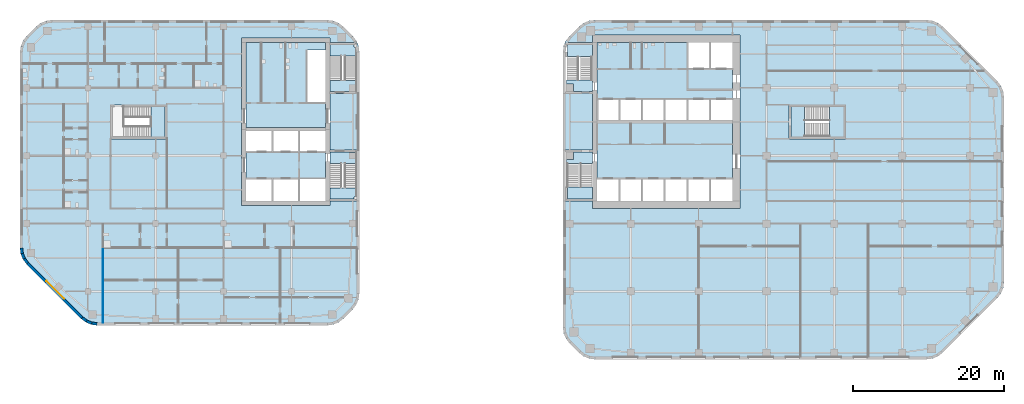
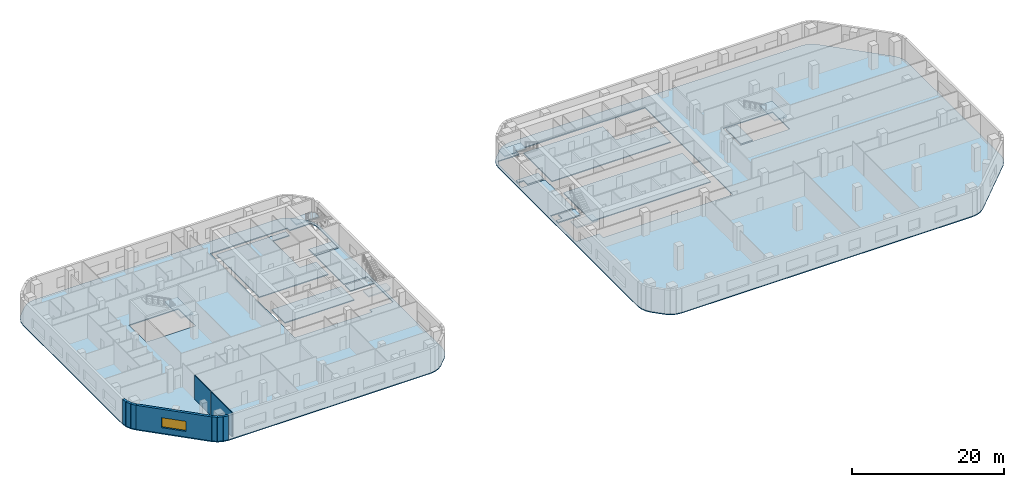
# One storey, part 4 of 16: 17 slabs, 9 walls, 1 window, 1 opening, 6 elements without a shape of their own.
"""IFC4 building model written with IfcOpenShell, lengths in metres."""

from ifc_helpers import new_model, si_unit, direction, frame, frame_2d, origin, place, context, subcontext, project, spatial, polyline, rectangle, outline, extrude, material, layer, layer_set, type_object, element, fill, aggregate, save


model = new_model("IFC4")

# Units and contexts
model_context = context("Model", 3, precision=1e-05, world=origin(), true_north=direction((0.0, 1.0)))
body_context = subcontext(model_context, "Body", "Model", "MODEL_VIEW")
ifc_project = project(units=[si_unit("LENGTHUNIT", "METRE"), si_unit("AREAUNIT", "SQUARE_METRE"), si_unit("VOLUMEUNIT", "CUBIC_METRE"), si_unit("PLANEANGLEUNIT", "RADIAN"), si_unit("MASSUNIT", "GRAM", prefix="KILO")], contexts=[model_context])

# Site, building, storey
site_placement = place(None, origin())
site = spatial("IfcSite", under=ifc_project, at=site_placement, CompositionType="ELEMENT")
building_placement = place(site_placement, origin())
building = spatial("IfcBuilding", under=site, at=building_placement, Name="Cinnabar Reach Civic Tower", CompositionType="ELEMENT")
storey_placement = place(building_placement, frame((0.0, 0.0, 38.0)))
storey = spatial("IfcBuildingStorey", under=building, at=storey_placement, Name="L08", CompositionType="ELEMENT", Elevation=38.0)

# Slabs
ifc_material_1 = material(Name="Concrete C40", Category="concrete")
ifc_layer_1 = layer(ifc_material_1, 0.15)
ifc_layer_set_1 = layer_set([ifc_layer_1], Name="Composite floor slab 150 REI 120")
slab_type_1 = type_object("IfcSlabType", Name="Composite floor slab 150 REI 120", PredefinedType="FLOOR", material=ifc_layer_set_1)
slab_1_placement = place(storey_placement, frame((0.0, 0.0, -0.15)))
element("IfcSlab", 1, at=slab_1_placement, inside=storey, type_object=slab_type_1, Name="Composite floor slab 150 T2 L08", PredefinedType="FLOOR", context=body_context, shape_type="SweptSolid", body=[
    extrude(outline(polyline([(-71.1213, 12.6213), (-71.5981, 13.2426), (-71.8978, 13.9662), (-72.0, 14.7426), (-72.0, 40.7574), (-71.8978, 41.5338), (-71.5981, 42.2574), (-71.1213, 42.8787), (-69.8787, 44.1213), (-69.2574, 44.5981), (-68.5338, 44.8978), (-67.7574, 45.0), (-31.2426, 45.0), (-30.4662, 44.8978), (-29.7426, 44.5981), (-29.1213, 44.1213), (-27.8787, 42.8787), (-27.4019, 42.2574), (-27.1022, 41.5338), (-27.0, 40.7574), (-27.0, 8.7426), (-27.1022, 7.9662), (-27.4019, 7.2426), (-27.8787, 6.6213), (-29.1213, 5.3787), (-29.7426, 4.9019), (-30.4662, 4.6022), (-31.2426, 4.5), (-61.7574, 4.5), (-62.5338, 4.6022), (-63.2574, 4.9019), (-63.8787, 5.3787), (-71.1213, 12.6213)]), holes=[polyline([(-30.9, 27.75), (-30.9, 35.25), (-27.36, 35.25), (-27.36, 40.7338), (-27.453, 41.4398), (-27.685, 42.0), (-30.9, 42.0), (-30.9, 42.6), (-42.6, 42.6), (-42.6, 20.4), (-30.9, 20.4), (-30.9, 21.0), (-27.36, 21.0), (-27.36, 27.75), (-30.9, 27.75)]), polyline([(-60.0, 33.75), (-60.0, 29.25), (-52.5, 29.25), (-52.5, 33.75), (-60.0, 33.75)])]), origin(), (0.0, 0.0, 1.0), 0.15),
])
ifc_layer_2 = layer(ifc_material_1, 0.15)
ifc_layer_set_2 = layer_set([ifc_layer_2], Name="Composite floor slab 150 REI 150")
slab_type_2 = type_object("IfcSlabType", Name="Composite floor slab 150 REI 150", PredefinedType="FLOOR", material=ifc_layer_set_2)
slab_2_placement = place(storey_placement, frame((0.0, 0.0, -0.15)))
element("IfcSlab", 2, at=slab_2_placement, inside=storey, type_object=slab_type_2, Name="Composite floor slab 150 T1 L08", PredefinedType="FLOOR", context=body_context, shape_type="SweptSolid", body=[
    extrude(outline(polyline([(0.8787, 2.1213), (0.4019, 2.7426), (0.1022, 3.4662), (0.0, 4.2426), (0.0, 40.7574), (0.1022, 41.5338), (0.4019, 42.2574), (0.8787, 42.8787), (2.1213, 44.1213), (2.7426, 44.5981), (3.4662, 44.8978), (4.2426, 45.0), (48.2574, 45.0), (49.0338, 44.8978), (49.7574, 44.5981), (50.3787, 44.1213), (57.6213, 36.8787), (58.0981, 36.2574), (58.3978, 35.5338), (58.5, 34.7574), (58.5, 10.2426), (58.3978, 9.4662), (58.0981, 8.7426), (57.6213, 8.1213), (50.3787, 0.8787), (49.7574, 0.4019), (49.0338, 0.1022), (48.2574, 0.0), (4.2426, 0.0), (3.4662, 0.1022), (2.7426, 0.4019), (2.1213, 0.8787), (0.8787, 2.1213)]), holes=[polyline([(0.36, 21.0), (3.9, 21.0), (3.9, 20.0), (23.5, 20.0), (23.5, 43.0), (3.9, 43.0), (3.9, 42.0), (0.685, 42.0), (0.453, 41.4398), (0.36, 40.7338), (0.36, 35.25), (3.9, 35.25), (3.9, 27.75), (0.36, 27.75), (0.36, 21.0)]), polyline([(30.0, 33.75), (30.0, 29.25), (37.5, 29.25), (37.5, 33.75), (30.0, 33.75)])]), origin(), (0.0, 0.0, 1.0), 0.15),
])

# Stair, slabs
ifc_material_2 = material(Name="Concrete C40/50", Category="concrete")
stair_type_1 = type_object("IfcStairType", Name="T1 Exit stair, half-turn", PredefinedType="HALF_TURN_STAIR", material=ifc_material_2)
stair_1_placement = place(storey_placement, origin())
stair_1 = element("IfcStair", 3, at=stair_1_placement, inside=storey, type_object=stair_type_1, Name="Stair T1-S1", PredefinedType="HALF_TURN_STAIR")
ifc_layer_3 = layer(ifc_material_2, 0.2)
ifc_layer_set_3 = layer_set([ifc_layer_3], Name="T1 Stair landing 200, Concrete C40/50")
slab_type_3 = type_object("IfcSlabType", Name="T1 Stair landing 200, Concrete C40/50", PredefinedType="LANDING", material=ifc_layer_set_3)
slab_3_placement = place(storey_placement, frame((0.0, 0.0, -0.2)))
slab_3 = element("IfcSlab", 4, at=slab_3_placement, type_object=slab_type_3, Name="T1-S1 landing 1", PredefinedType="LANDING", context=body_context, shape_type="SweptSolid", body=[
    extrude(outline(polyline([(3.9, 27.5), (3.9, 25.95), (0.5, 25.95), (0.5, 26.5), (1.4, 26.5), (1.4, 27.5), (3.9, 27.5)])), origin(), (0.0, 0.0, 1.0), 0.2),
])
slab_4_placement = place(storey_placement, frame((0.0, 0.0, 1.8)))
slab_4 = element("IfcSlab", 5, at=slab_4_placement, type_object=slab_type_3, Name="T1-S1 landing 2", PredefinedType="LANDING", context=body_context, shape_type="SweptSolid", body=[
    extrude(outline(polyline([(0.6, 21.25), (0.6, 22.87), (3.9, 22.87), (3.9, 21.25), (0.6, 21.25)])), origin(), (0.0, 0.0, 1.0), 0.2),
])
aggregate(stair_1, [slab_3, slab_4])

stair_2_placement = place(storey_placement, origin())
stair_2 = element("IfcStair", 6, at=stair_2_placement, inside=storey, type_object=stair_type_1, Name="Stair T1-S2", PredefinedType="HALF_TURN_STAIR")
slab_5_placement = place(storey_placement, frame((0.0, 0.0, -0.2)))
slab_5 = element("IfcSlab", 7, at=slab_5_placement, type_object=slab_type_3, Name="T1-S2 landing 1", PredefinedType="LANDING", context=body_context, shape_type="SweptSolid", body=[
    extrude(outline(polyline([(0.5, 37.05), (3.9, 37.05), (3.9, 35.5), (1.4, 35.5), (1.4, 36.5), (0.5, 36.5), (0.5, 37.05)])), origin(), (0.0, 0.0, 1.0), 0.2),
])
slab_6_placement = place(storey_placement, frame((0.0, 0.0, 1.8)))
slab_6 = element("IfcSlab", 8, at=slab_6_placement, type_object=slab_type_3, Name="T1-S2 landing 2", PredefinedType="LANDING", context=body_context, shape_type="SweptSolid", body=[
    extrude(outline(polyline([(0.6, 40.13), (0.6, 41.75), (3.9, 41.75), (3.9, 40.13), (0.6, 40.13)])), origin(), (0.0, 0.0, 1.0), 0.2),
])
aggregate(stair_2, [slab_5, slab_6])

stair_3_placement = place(storey_placement, origin())
stair_3 = element("IfcStair", 9, at=stair_3_placement, inside=storey, type_object=stair_type_1, Name="Stair T1-S3", PredefinedType="HALF_TURN_STAIR")
slab_7_placement = place(storey_placement, frame((0.0, 0.0, -0.2)))
slab_7 = element("IfcSlab", 10, at=slab_7_placement, type_object=slab_type_3, Name="T1-S3 landing 1", PredefinedType="LANDING", context=body_context, shape_type="SweptSolid", body=[
    extrude(outline(polyline([(30.25, 29.5), (32.05, 29.5), (32.05, 33.5), (30.25, 33.5), (30.25, 29.5)])), origin(), (0.0, 0.0, 1.0), 0.2),
])
slab_8_placement = place(storey_placement, frame((0.0, 0.0, 1.8)))
slab_8 = element("IfcSlab", 11, at=slab_8_placement, type_object=slab_type_3, Name="T1-S3 landing 2", PredefinedType="LANDING", context=body_context, shape_type="SweptSolid", body=[
    extrude(outline(polyline([(35.35, 29.5), (37.25, 29.5), (37.25, 33.5), (35.35, 33.5), (35.35, 29.5)])), origin(), (0.0, 0.0, 1.0), 0.2),
])
aggregate(stair_3, [slab_7, slab_8])

# Slabs
ifc_layer_4 = layer(ifc_material_2, 0.15)
ifc_layer_set_4 = layer_set([ifc_layer_4], Name="T1 core floor slab 150")
slab_type_4 = type_object("IfcSlabType", Name="T1 core floor slab 150", PredefinedType="FLOOR", material=ifc_layer_set_4)
slab_9_placement = place(storey_placement, frame((0.0, 0.0, -0.15)))
element("IfcSlab", 12, at=slab_9_placement, inside=storey, type_object=slab_type_4, Name="Core floor slab L08", PredefinedType="FLOOR", context=body_context, shape_type="SweptSolid", body=[
    extrude(outline(polyline([(22.5, 24.0), (19.5, 24.0), (16.5, 24.0), (13.5, 24.0), (10.5, 24.0), (7.5, 24.0), (4.5, 24.0), (4.5, 31.5), (7.5, 31.5), (10.5, 31.5), (13.5, 31.5), (16.5, 31.5), (19.5, 31.5), (22.5, 31.5), (22.5, 24.0)])), origin(), (0.0, 0.0, 1.0), 0.15),
])
slab_10_placement = place(storey_placement, frame((0.0, 0.0, -0.15)))
element("IfcSlab", 13, at=slab_10_placement, inside=storey, type_object=slab_type_4, Name="Core floor slab L08", PredefinedType="FLOOR", context=body_context, shape_type="SweptSolid", body=[
    extrude(outline(polyline([(22.5, 34.5), (19.5, 34.5), (16.5, 34.5), (13.5, 34.5), (10.5, 34.5), (7.5, 34.5), (4.5, 34.5), (4.5, 42.0), (16.5, 42.0), (16.5, 38.5), (19.5, 38.5), (22.5, 38.5), (22.5, 34.5)])), origin(), (0.0, 0.0, 1.0), 0.15),
])
ifc_layer_5 = layer(ifc_material_1, 0.15)
ifc_layer_set_5 = layer_set([ifc_layer_5], Name="T2 Core floor slab 150")
slab_type_5 = type_object("IfcSlabType", Name="T2 Core floor slab 150", PredefinedType="FLOOR", material=ifc_layer_set_5)
slab_11_placement = place(storey_placement, frame((0.0, 0.0, -0.15)))
element("IfcSlab", 14, at=slab_11_placement, inside=storey, type_object=slab_type_5, Name="Core floor slab L08", PredefinedType="FLOOR", context=body_context, shape_type="SweptSolid", body=[
    extrude(outline(polyline([(-42.0, 42.0), (-31.5, 42.0), (-31.5, 41.0), (-34.0, 41.0), (-34.0, 34.0), (-31.5, 34.0), (-31.5, 30.75), (-42.0, 30.75), (-42.0, 42.0)])), origin(), (0.0, 0.0, 1.0), 0.15),
])
slab_12_placement = place(storey_placement, frame((0.0, 0.0, -0.15)))
element("IfcSlab", 15, at=slab_12_placement, inside=storey, type_object=slab_type_5, Name="Core floor slab L08", PredefinedType="FLOOR", context=body_context, shape_type="SweptSolid", body=[
    extrude(outline(polyline([(-35.0, 24.0), (-38.5, 24.0), (-42.0, 24.0), (-42.0, 27.5), (-38.5, 27.5), (-35.0, 27.5), (-31.5, 27.5), (-31.5, 24.0), (-35.0, 24.0)])), origin(), (0.0, 0.0, 1.0), 0.15),
])

# Stair, slabs
stair_type_2 = type_object("IfcStairType", Name="T2 Exit stair 1500", PredefinedType="HALF_TURN_STAIR", material=ifc_material_1)
stair_4_placement = place(storey_placement, origin())
stair_4 = element("IfcStair", 16, at=stair_4_placement, inside=storey, type_object=stair_type_2, Name="Exit stair 1", PredefinedType="HALF_TURN_STAIR")
ifc_layer_6 = layer(ifc_material_1, 0.2)
ifc_layer_set_6 = layer_set([ifc_layer_6], Name="T2 Stair landing 200")
slab_type_6 = type_object("IfcSlabType", Name="T2 Stair landing 200", PredefinedType="LANDING", material=ifc_layer_set_6)
slab_13_placement = place(storey_placement, frame((0.0, 0.0, -0.2)))
slab_13 = element("IfcSlab", 17, at=slab_13_placement, type_object=slab_type_6, Name="ST1 landing 1", PredefinedType="LANDING", context=body_context, shape_type="SweptSolid", body=[
    extrude(outline(polyline([(-30.9, 26.0), (-30.9, 27.5), (-27.4, 27.5), (-27.4, 26.0), (-30.9, 26.0)])), origin(), (0.0, 0.0, 1.0), 0.2),
])
slab_14_placement = place(storey_placement, frame((0.0, 0.0, 1.8)))
slab_14 = element("IfcSlab", 18, at=slab_14_placement, type_object=slab_type_6, Name="ST1 landing 2", PredefinedType="LANDING", context=body_context, shape_type="SweptSolid", body=[
    extrude(outline(polyline([(-30.9, 21.25), (-30.9, 22.75), (-27.4, 22.75), (-27.4, 21.55), (-27.7, 21.55), (-27.7, 21.25), (-30.9, 21.25)])), origin(), (0.0, 0.0, 1.0), 0.2),
])
aggregate(stair_4, [slab_13, slab_14])

stair_5_placement = place(storey_placement, origin())
stair_5 = element("IfcStair", 19, at=stair_5_placement, inside=storey, type_object=stair_type_2, Name="Exit stair 2", PredefinedType="HALF_TURN_STAIR")
slab_15_placement = place(storey_placement, frame((0.0, 0.0, -0.2)))
slab_15 = element("IfcSlab", 20, at=slab_15_placement, type_object=slab_type_6, Name="ST2 landing 1", PredefinedType="LANDING", context=body_context, shape_type="SweptSolid", body=[
    extrude(outline(polyline([(-30.9, 35.5), (-30.9, 37.0), (-27.4, 37.0), (-27.4, 35.5), (-30.9, 35.5)])), origin(), (0.0, 0.0, 1.0), 0.2),
])
slab_16_placement = place(storey_placement, frame((0.0, 0.0, 1.8)))
slab_16 = element("IfcSlab", 21, at=slab_16_placement, type_object=slab_type_6, Name="ST2 landing 2", PredefinedType="LANDING", context=body_context, shape_type="SweptSolid", body=[
    extrude(outline(polyline([(-27.4, 40.25), (-30.9, 40.25), (-30.9, 41.75), (-27.7, 41.75), (-27.7, 41.45), (-27.4, 41.45), (-27.4, 40.25)])), origin(), (0.0, 0.0, 1.0), 0.2),
])
aggregate(stair_5, [slab_15, slab_16])

# Stair, slab
stair_6_placement = place(storey_placement, origin())
stair_6 = element("IfcStair", 22, at=stair_6_placement, inside=storey, type_object=stair_type_2, Name="Exit stair 3", PredefinedType="HALF_TURN_STAIR")
slab_17_placement = place(storey_placement, frame((0.0, 0.0, 1.8)))
slab_17 = element("IfcSlab", 23, at=slab_17_placement, type_object=slab_type_6, Name="ST3 landing 2", PredefinedType="LANDING", context=body_context, shape_type="SweptSolid", body=[
    extrude(outline(polyline([(-54.65, 29.375), (-54.65, 33.625), (-52.75, 33.625), (-52.75, 29.375), (-54.65, 29.375)])), origin(), (0.0, 0.0, 1.0), 0.2),
])
aggregate(stair_6, [slab_17])

# Walls
ifc_material_3 = material(Name="Facing brick with insulated backing", Category="masonry")
ifc_layer_7 = layer(ifc_material_3, 0.36)
ifc_layer_set_7 = layer_set([ifc_layer_7], Name="Brick corner wall")
wall_type_1 = type_object("IfcWallType", Name="Brick corner wall", PredefinedType="STANDARD", material=ifc_layer_set_7)
for number, where, z_axis, x_axis, name in (
    (24, (-71.817, 14.7314, 0.0), (0.0, 0.0, 1.0), (0.13055608231, -0.99144092581, 0.0), "Brick corner wall"),
    (25, (-71.7181, 14.0027, 0.0), (0.0, 0.0, 1.0), (0.382702709855, -0.923871547278, 0.0), "Brick corner wall"),
):
    element("IfcWall", number, at=place(storey_placement, frame(where, z_axis=z_axis, x_axis=x_axis)), inside=storey, type_object=wall_type_1, Name=name, PredefinedType="STANDARD", context=body_context, shape_type="SweptSolid", body=[
        extrude(rectangle(XDim=0.7131, YDim=0.36, at=frame_2d((0.3565, 0.0))), origin(), (0.0, 0.0, 1.0), 3.85),
    ])
for number, where, z_axis, x_axis, name in (
    (26, (-71.434, 13.3245, 0.0), (0.0, 0.0, 1.0), (0.608802368033, -0.793321924995, 0.0), "Brick corner wall"),
    (27, (-63.7413, 5.5002, 0.0), (0.0, 0.0, 1.0), (0.793321924995, -0.608802368033, 0.0), "Brick corner wall"),
):
    element("IfcWall", number, at=place(storey_placement, frame(where, z_axis=z_axis, x_axis=x_axis)), inside=storey, type_object=wall_type_1, Name=name, PredefinedType="STANDARD", context=body_context, shape_type="SweptSolid", body=[
        extrude(rectangle(XDim=0.7132, YDim=0.36, at=frame_2d((0.3566, 0.0))), origin(), (0.0, 0.0, 1.0), 3.85),
    ])
for number, where, z_axis, x_axis, name in (
    (28, (-63.1561, 5.0548, 0.0), (0.0, 0.0, 1.0), (0.923871547278, -0.382702709855, 0.0), "Brick corner wall"),
    (29, (-62.4756, 4.7761, 0.0), (0.0, 0.0, 1.0), (0.99144092581, -0.13055608231, 0.0), "Brick corner wall"),
):
    element("IfcWall", number, at=place(storey_placement, frame(where, z_axis=z_axis, x_axis=x_axis)), inside=storey, type_object=wall_type_1, Name=name, PredefinedType="STANDARD", context=body_context, shape_type="SweptSolid", body=[
        extrude(rectangle(XDim=0.7131, YDim=0.36, at=frame_2d((0.3565, 0.0))), origin(), (0.0, 0.0, 1.0), 3.85),
    ])

# Wall, opening, window
ifc_layer_8 = layer(ifc_material_3, 0.36)
ifc_layer_set_8 = layer_set([ifc_layer_8], Name="Brick pier and spandrel wall")
wall_type_2 = type_object("IfcWallType", Name="Brick pier and spandrel wall", PredefinedType="STANDARD", material=ifc_layer_set_8)
wall_1_placement = place(storey_placement, frame((-70.994, 12.7486, 0.0), z_axis=(0.0, 0.0, 1.0), x_axis=(0.707106781187, -0.707106781187, 0.0)))
wall_1 = element("IfcWall", 30, at=wall_1_placement, inside=storey, type_object=wall_type_2, Name="Brick facade wall", PredefinedType="STANDARD", context=body_context, shape_type="SweptSolid", body=[
    extrude(rectangle(XDim=10.2426, YDim=0.36, at=frame_2d((5.1213, 0.0))), origin(), (0.0, 0.0, 1.0), 3.85),
])
opening_placement = place(wall_1_placement, frame((3.4713, 0.0, 0.9)))
opening = element("IfcOpeningElement", 31, at=opening_placement, cuts=wall_1, Name="Opening W2437", PredefinedType="OPENING", context=body_context, shape_type="SweptSolid", body=[
    extrude(rectangle(XDim=3.3, YDim=1.6, at=frame_2d((1.65, 0.8))), frame((0.0, 0.19, 0.0), z_axis=(0.0, -1.0, 0.0), x_axis=(1.0, 0.0, 0.0)), (0.0, 0.0, 1.0), 0.38),
])
ifc_material_4 = material(Name="Clear double glazing in aluminium frame", Category="aluminium")
window_type = type_object("IfcWindowType", Name="Deep-set window A", PartitioningType="SINGLE_PANEL", PredefinedType="WINDOW", material=ifc_material_4)
window_placement = place(opening_placement, origin())
window = element("IfcWindow", 32, at=window_placement, inside=storey, type_object=window_type, Name="Window southwest face", OverallHeight=1.6, OverallWidth=3.3, PartitioningType="SINGLE_PANEL", PredefinedType="WINDOW", context=body_context, shape_type="SweptSolid", body=[
    extrude(rectangle(XDim=3.3, YDim=1.6, at=frame_2d((1.65, 0.8))), frame((0.0, 0.13, 0.0), z_axis=(0.0, -1.0, 0.0), x_axis=(1.0, 0.0, 0.0)), (0.0, 0.0, 1.0), 0.06),
])
fill(opening, window)

# Walls
ifc_material_5 = material(Name="Gypsum board on steel studs", Category="steel")
ifc_layer_9 = layer(ifc_material_5, 0.1)
ifc_layer_set_9 = layer_set([ifc_layer_9], Name="Partition wall 100 T2")
wall_type_3 = type_object("IfcWallType", Name="Partition wall 100 T2", PredefinedType="PARTITIONING", material=ifc_layer_set_9)
wall_2_placement = place(storey_placement, frame((-61.0, 10.5433, 0.0), z_axis=(0.0, 0.0, 1.0), x_axis=(0.0, 1.0, 0.0)))
element("IfcWall", 33, at=wall_2_placement, inside=storey, type_object=wall_type_3, Name="Partition wall 33", PredefinedType="PARTITIONING", context=body_context, shape_type="SweptSolid", body=[
    extrude(rectangle(XDim=4.2067, YDim=0.1, at=frame_2d((2.1033, 0.0))), origin(), (0.0, 0.0, 1.0), 3.85),
])
wall_3_placement = place(storey_placement, frame((-61.0, 4.86, 0.0), z_axis=(0.0, 0.0, 1.0), x_axis=(0.0, 1.0, 0.0)))
element("IfcWall", 34, at=wall_3_placement, inside=storey, type_object=wall_type_3, Name="Partition wall 34", PredefinedType="PARTITIONING", context=body_context, shape_type="SweptSolid", body=[
    extrude(rectangle(XDim=5.5833, YDim=0.1, at=frame_2d((2.7917, 0.0))), origin(), (0.0, 0.0, 1.0), 3.85),
])

save(model, "model.ifc")
